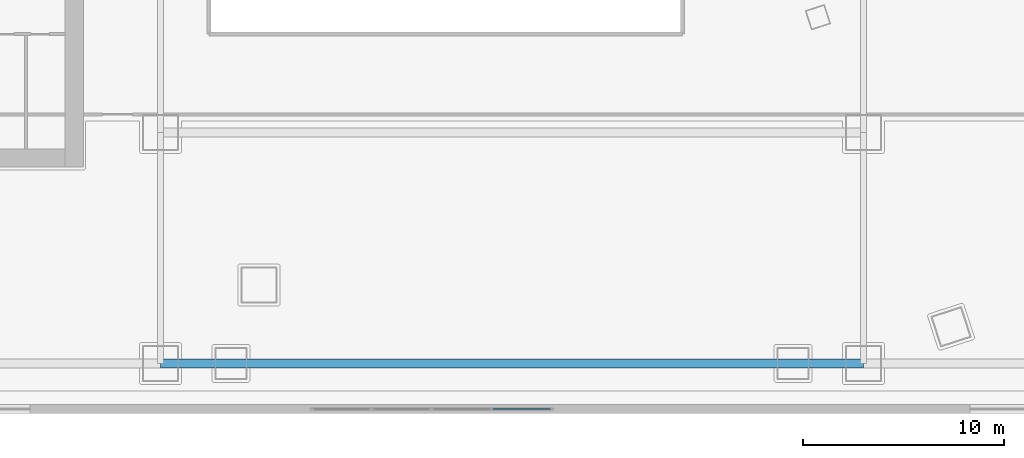
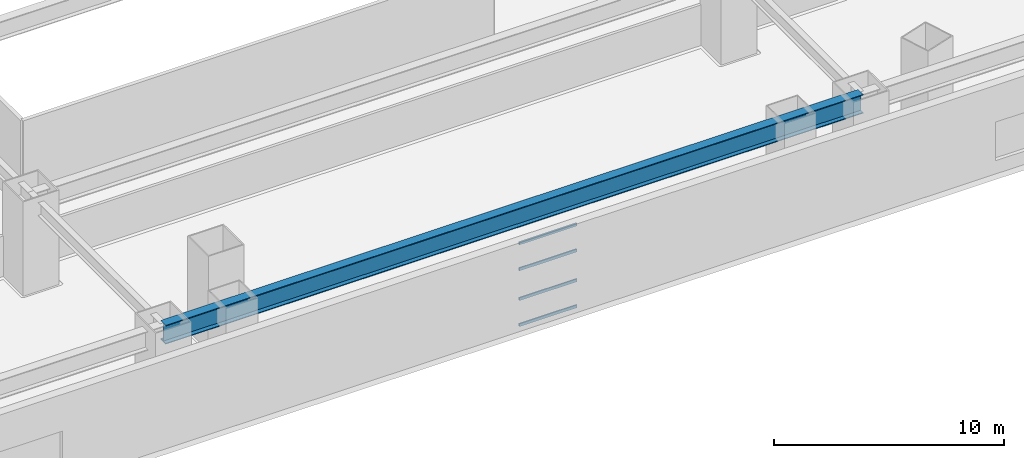
# One storey, part 7 of 35: 4 members, 1 beam, 1 element without a shape of its own.
"""IFC4 building model written with IfcOpenShell, lengths in metres."""

from ifc_helpers import new_model, si_unit, direction, frame, origin, origin_2d, place, context, subcontext, project, spatial, hollow_rectangle, i_section, extrude, material, layer, layer_set, material_profile, profile_set, type_object, element, aggregate, save


model = new_model("IFC4")

# Units and contexts
model_context = context("Model", 3, precision=1e-05, world=origin(), true_north=direction((0.0, 1.0)))
body_context = subcontext(model_context, "Body", "Model", "MODEL_VIEW")
ifc_project = project(units=[si_unit("LENGTHUNIT", "METRE"), si_unit("AREAUNIT", "SQUARE_METRE"), si_unit("VOLUMEUNIT", "CUBIC_METRE"), si_unit("PLANEANGLEUNIT", "RADIAN"), si_unit("MASSUNIT", "GRAM", prefix="KILO")], contexts=[model_context])

# Site, building, storey
site_placement = place(None, origin())
site = spatial("IfcSite", under=ifc_project, at=site_placement, CompositionType="ELEMENT")
building_placement = place(site_placement, origin())
building = spatial("IfcBuilding", under=site, at=building_placement, Name="Qiaolan Cultural Towers", CompositionType="ELEMENT")
storey_placement = place(building_placement, frame((0.0, 0.0, 11.5)))
storey = spatial("IfcBuildingStorey", under=building, at=storey_placement, Name="L02", CompositionType="ELEMENT", Elevation=11.5)

# Beam
ifc_material_1 = material(Name="Steel Q390GJB", Category="steel")
ifc_material_profile_1 = material_profile(ifc_material_1, i_section(OverallWidth=0.449951171875, OverallDepth=1.0, WebThickness=0.02392578125, FlangeThickness=0.0400390625, at=origin_2d()), Name="BH1000x450x24x40")
ifc_profile_set_1 = profile_set([ifc_material_profile_1], Name="Steel Q390GJB")
beam_type = type_object("IfcBeamType", Name="BM-BH1000x450x24x40", PredefinedType="BEAM", material=ifc_profile_set_1)
beam_placement = place(storey_placement, frame((42.5, 2.5, 4.199951171875), z_axis=(1.0, 0.0, 0.0), x_axis=(0.0, 1.0, 0.0)))
element("IfcBeam", 1, at=beam_placement, inside=storey, type_object=beam_type, Name="L02 Podium Primary Girder Y=2.5", PredefinedType="BEAM", context=body_context, shape_type="SweptSolid", body=[
    extrude(i_section(OverallWidth=0.449951171875, OverallDepth=1.0, WebThickness=0.02392578125, FlangeThickness=0.0400390625, at=origin_2d()), origin(), (0.0, 0.0, 1.0), 35.0),
])

# Curtain wall, members
ifc_material_2 = material(Name="Unitized Anodized Aluminium Curtain Wall System", Category="aluminium")
ifc_layer = layer(ifc_material_2, 0.199951171875)
ifc_layer_set = layer_set([ifc_layer], Name="Unitized Anodized Aluminium Curtain Wall System")
curtain_wall_type = type_object("IfcCurtainWallType", Name="CWS-01", PredefinedType="NOTDEFINED", material=ifc_layer_set)
curtain_wall_placement = place(storey_placement, origin())
curtain_wall = element("IfcCurtainWall", 2, at=curtain_wall_placement, inside=storey, type_object=curtain_wall_type, Name="L02 South Atrium Curtain Wall", PredefinedType="NOTDEFINED")
ifc_material_3 = material(Name="Extruded Aluminium 6063-T6", Category="aluminium")
ifc_material_profile_2 = material_profile(ifc_material_3, hollow_rectangle(XDim=0.06494140625, YDim=0.14990234375, WallThickness=0.00390625, at=origin_2d()), Name="CWT-150x65x4")
ifc_profile_set_2 = profile_set([ifc_material_profile_2], Name="Extruded Aluminium 6063-T6")
member_type = type_object("IfcMemberType", Name="CWS-01-TRN", PredefinedType="USERDEFINED", material=ifc_profile_set_2)
member_1_placement = place(storey_placement, frame((59.03759765625, 0.219970703125, 0.1826171875), z_axis=(1.0, 0.0, 0.0), x_axis=(0.0, 1.0, 0.0)))
member_1 = element("IfcMember", 3, at=member_1_placement, type_object=member_type, Name="CW-1 transom 4.1", ObjectType="TRANSOM", PredefinedType="USERDEFINED", context=body_context, shape_type="SweptSolid", body=[
    extrude(hollow_rectangle(XDim=0.06494140625, YDim=0.14990234375, WallThickness=0.00390625, at=origin_2d()), origin(), (0.0, 0.0, 1.0), 2.887451171875),
])
member_2_placement = place(storey_placement, frame((59.03759765625, 0.219970703125, 1.56005859375), z_axis=(1.0, 0.0, 0.0), x_axis=(0.0, 1.0, 0.0)))
member_2 = element("IfcMember", 4, at=member_2_placement, type_object=member_type, Name="CW-1 transom 4.2", ObjectType="TRANSOM", PredefinedType="USERDEFINED", context=body_context, shape_type="SweptSolid", body=[
    extrude(hollow_rectangle(XDim=0.06494140625, YDim=0.14990234375, WallThickness=0.00390625, at=origin_2d()), origin(), (0.0, 0.0, 1.0), 2.887451171875),
])
member_3_placement = place(storey_placement, frame((59.03759765625, 0.219970703125, 3.139892578125), z_axis=(1.0, 0.0, 0.0), x_axis=(0.0, 1.0, 0.0)))
member_3 = element("IfcMember", 5, at=member_3_placement, type_object=member_type, Name="CW-1 transom 4.3", ObjectType="TRANSOM", PredefinedType="USERDEFINED", context=body_context, shape_type="SweptSolid", body=[
    extrude(hollow_rectangle(XDim=0.06494140625, YDim=0.14990234375, WallThickness=0.00390625, at=origin_2d()), origin(), (0.0, 0.0, 1.0), 2.887451171875),
])
member_4_placement = place(storey_placement, frame((59.03759765625, 0.219970703125, 4.517578125), z_axis=(1.0, 0.0, 0.0), x_axis=(0.0, 1.0, 0.0)))
member_4 = element("IfcMember", 6, at=member_4_placement, type_object=member_type, Name="CW-1 transom 4.4", ObjectType="TRANSOM", PredefinedType="USERDEFINED", context=body_context, shape_type="SweptSolid", body=[
    extrude(hollow_rectangle(XDim=0.06494140625, YDim=0.14990234375, WallThickness=0.00390625, at=origin_2d()), origin(), (0.0, 0.0, 1.0), 2.887451171875),
])
aggregate(curtain_wall, [member_1, member_2, member_3, member_4])

save(model, "model.ifc")
